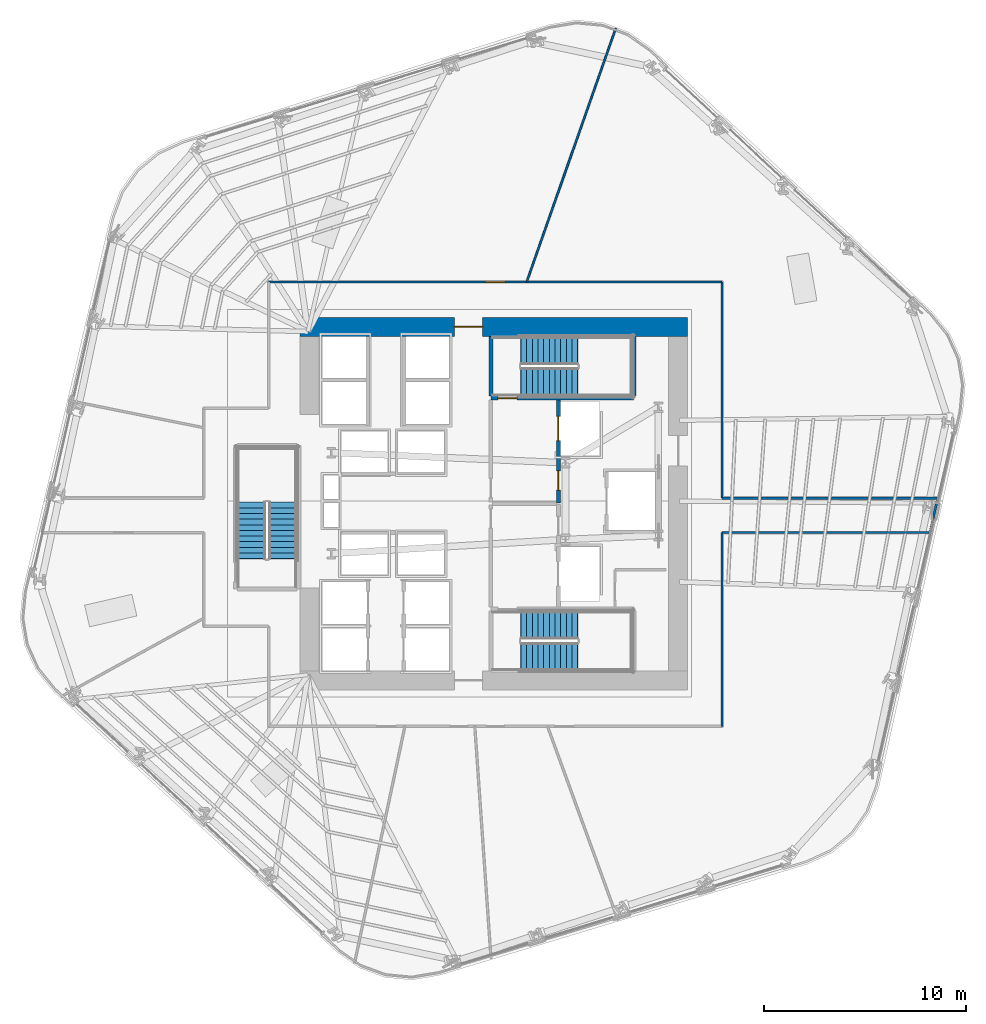
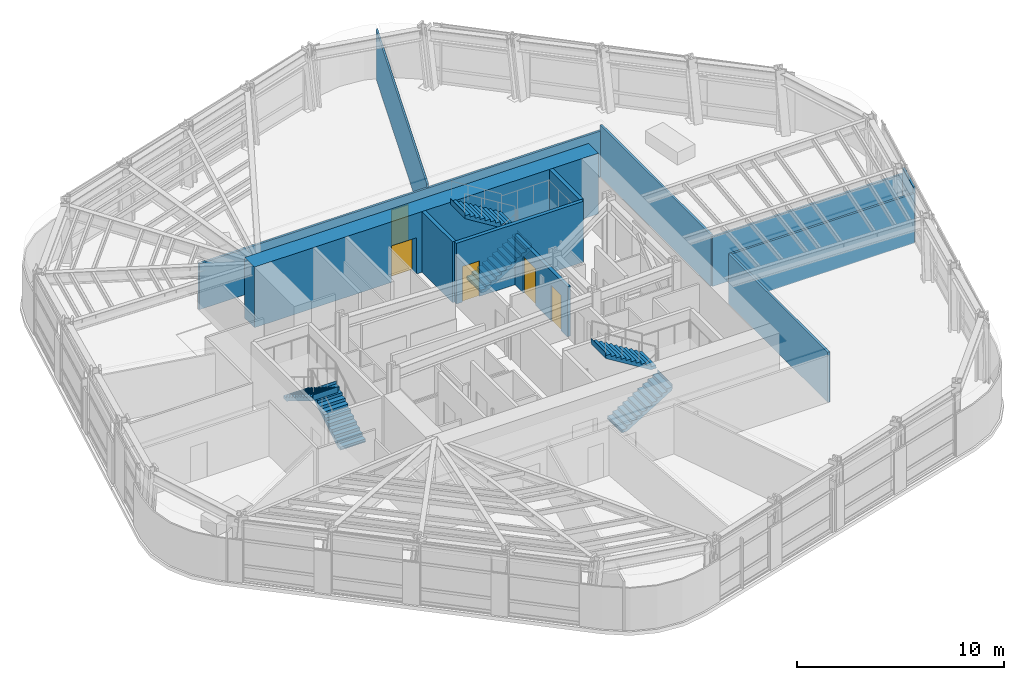
# One storey, part 10 of 16: 12 walls, 6 stair flights, 5 doors, 5 openings, 3 elements without a shape of their own.
"""IFC4 building model written with IfcOpenShell, lengths in metres."""

from ifc_helpers import new_model, si_unit, direction, frame, frame_2d, origin, place, context, subcontext, project, spatial, polyline, rectangle, outline, extrude, material, layer, layer_set, type_object, element, fill, aggregate, save


model = new_model("IFC4")

# Units and contexts
model_context = context("Model", 3, precision=1e-05, world=origin(), true_north=direction((0.0, 1.0)))
body_context = subcontext(model_context, "Body", "Model", "MODEL_VIEW")
ifc_project = project(units=[si_unit("LENGTHUNIT", "METRE"), si_unit("AREAUNIT", "SQUARE_METRE"), si_unit("VOLUMEUNIT", "CUBIC_METRE"), si_unit("PLANEANGLEUNIT", "RADIAN"), si_unit("MASSUNIT", "GRAM", prefix="KILO")], contexts=[model_context])

# Site, building, storey
site_placement = place(None, origin())
site = spatial("IfcSite", under=ifc_project, at=site_placement, CompositionType="ELEMENT")
building_placement = place(site_placement, origin())
building = spatial("IfcBuilding", under=site, at=building_placement, Name="Valkerne Bourse Tower", CompositionType="ELEMENT")
storey_placement = place(building_placement, frame((0.0, 0.0, 97.199951171875)))
storey = spatial("IfcBuildingStorey", under=building, at=storey_placement, Name="L24", CompositionType="ELEMENT", Elevation=97.199951171875)

# Wall, opening, door
ifc_material_1 = material(Name="Concrete C70/85", Category="concrete")
ifc_layer_1 = layer(ifc_material_1, 0.949951171875)
ifc_layer_set_1 = layer_set([ifc_layer_1], Name="Concrete C70/85")
wall_type_1 = type_object("IfcWallType", Name="W-CORE-950", PredefinedType="SHEAR", material=ifc_layer_set_1)
wall_1_placement = place(storey_placement, frame((37.199951171875, 35.625, 0.0), z_axis=(0.0, 0.0, 1.0), x_axis=(1.0, 0.0, 0.0)))
wall_1 = element("IfcWall", 1, at=wall_1_placement, inside=storey, type_object=wall_type_1, Name="L24 Core Shear Wall NORTH", PredefinedType="SHEAR", context=body_context, shape_type="SweptSolid", body=[
    extrude(rectangle(XDim=19.199951171875, YDim=0.949951171875, at=frame_2d((9.60009765625, 0.0))), origin(), (0.0, 0.0, 1.0), 3.580078125),
])
opening_1_placement = place(wall_1_placement, frame((7.64990234375, 0.0, 0.0)))
opening_1 = element("IfcOpeningElement", 2, at=opening_1_placement, cuts=wall_1, Name="Opening D-PL-1400", PredefinedType="OPENING", context=body_context, shape_type="SweptSolid", body=[
    extrude(rectangle(XDim=1.39990234375, YDim=2.14990234375, at=frame_2d((0.699951171875, 1.074951171875))), frame((0.0, 0.48486328125, 0.0), z_axis=(0.0, -1.0, 0.0), x_axis=(1.0, 0.0, 0.0)), (0.0, 0.0, 1.0), 0.969970703125),
])
ifc_material_2 = material(Name="Galvanised Painted Steel", Category="steel")
door_type_1 = type_object("IfcDoorType", Name="DR-PLT-1400", OperationType="DOUBLE_DOOR_SINGLE_SWING", PredefinedType="DOOR", material=ifc_material_2)
door_1_placement = place(opening_1_placement, origin())
door_1 = element("IfcDoor", 3, at=door_1_placement, inside=storey, type_object=door_type_1, Name="L24 North Passenger Lift Hall Fire Door", OperationType="DOUBLE_DOOR_SINGLE_SWING", OverallHeight=2.14990234375, OverallWidth=1.39990234375, PredefinedType="DOOR", context=body_context, shape_type="SweptSolid", body=[
    extrude(rectangle(XDim=1.39990234375, YDim=2.14990234375, at=frame_2d((0.699951171875, 1.074951171875))), frame((0.0, 0.02490234375, 0.0), z_axis=(0.0, -1.0, 0.0), x_axis=(1.0, 0.0, 0.0)), (0.0, 0.0, 1.0), 0.050048828125),
])
fill(opening_1, door_1)

# Walls
ifc_material_3 = material(Name="Gypsum Board Steel-Stud Partition", Category="steel")
ifc_layer_2 = layer(ifc_material_3, 0.117919921875)
ifc_layer_set_2 = layer_set([ifc_layer_2], Name="Gypsum Board Steel-Stud Partition")
wall_type_2 = type_object("IfcWallType", Name="W-CORR-140", PredefinedType="PARTITIONING", material=ifc_layer_set_2)
wall_2_placement = place(storey_placement, frame((58.10009765625, 27.14990234375, 0.0), z_axis=(0.0, 0.0, 1.0), x_axis=(1.0, 0.0, 0.0)))
element("IfcWall", 4, at=wall_2_placement, inside=storey, type_object=wall_type_2, Name="L24 Corridor Enclosure Wall", PredefinedType="PARTITIONING", context=body_context, shape_type="SweptSolid", body=[
    extrude(rectangle(XDim=10.637451171875, YDim=0.117919921875, at=frame_2d((5.31884765625, 0.0))), origin(), (0.0, 0.0, 1.0), 2.92236328125),
])
wall_3_placement = place(storey_placement, frame((68.772705078125, 27.106201171875, 0.0), z_axis=(0.0, 0.0, 1.0), x_axis=(-0.218087934864, -0.975929122768, 0.0)))
element("IfcWall", 5, at=wall_3_placement, inside=storey, type_object=wall_type_2, Name="L24 Corridor Enclosure Wall", PredefinedType="PARTITIONING", context=body_context, shape_type="SweptSolid", body=[
    extrude(rectangle(XDim=1.697021484375, YDim=0.117919921875, at=frame_2d((0.8486328125, 0.0))), origin(), (0.0, 0.0, 1.0), 3.280029296875),
])
wall_4_placement = place(storey_placement, frame((68.402587890625, 25.449951171875, 0.0), z_axis=(0.0, 0.0, 1.0), x_axis=(-1.0, 0.0, 0.0)))
element("IfcWall", 6, at=wall_4_placement, inside=storey, type_object=wall_type_2, Name="L24 Corridor Enclosure Wall", PredefinedType="PARTITIONING", context=body_context, shape_type="SweptSolid", body=[
    extrude(rectangle(XDim=10.302490234375, YDim=0.117919921875, at=frame_2d((5.1513671875, 0.0))), origin(), (0.0, 0.0, 1.0), 2.92236328125),
])
wall_5_placement = place(storey_placement, frame((58.10009765625, 25.449951171875, 0.0), z_axis=(0.0, 0.0, 1.0), x_axis=(0.0, -1.0, 0.0)))
element("IfcWall", 7, at=wall_5_placement, inside=storey, type_object=wall_type_2, Name="L24 Corridor Enclosure Wall", PredefinedType="PARTITIONING", context=body_context, shape_type="SweptSolid", body=[
    extrude(rectangle(XDim=9.599853515625, YDim=0.117919921875, at=frame_2d((4.7998046875, 0.0))), origin(), (0.0, 0.0, 1.0), 2.962890625),
])

# Wall, opening, door
wall_6_placement = place(storey_placement, frame((35.64990234375, 37.85009765625, 0.0), z_axis=(0.0, 0.0, 1.0), x_axis=(1.0, 0.0, 0.0)))
wall_6 = element("IfcWall", 8, at=wall_6_placement, inside=storey, type_object=wall_type_2, Name="L24 Corridor Enclosure Wall", PredefinedType="PARTITIONING", context=body_context, shape_type="SweptSolid", body=[
    extrude(rectangle(XDim=22.4501953125, YDim=0.117919921875, at=frame_2d((11.22509765625, 0.0))), origin(), (0.0, 0.0, 1.0), 2.711669921875),
])
opening_2_placement = place(wall_6_placement, frame((10.75, 0.0, 0.0)))
opening_2 = element("IfcOpeningElement", 9, at=opening_2_placement, cuts=wall_6, Name="Opening D-OF-950", PredefinedType="OPENING", context=body_context, shape_type="SweptSolid", body=[
    extrude(rectangle(XDim=0.949951171875, YDim=2.10009765625, at=frame_2d((0.47509765625, 1.050048828125))), frame((0.0, 0.06884765625, 0.0), z_axis=(0.0, -1.0, 0.0), x_axis=(1.0, 0.0, 0.0)), (0.0, 0.0, 1.0), 0.137939453125),
])
ifc_material_4 = material(Name="Architectural White Oak Timber", Category="wood")
door_type_2 = type_object("IfcDoorType", Name="DR-OFF-950", OperationType="NOTDEFINED", PredefinedType="DOOR", material=ifc_material_4)
door_2_placement = place(opening_2_placement, origin())
door_2 = element("IfcDoor", 10, at=door_2_placement, inside=storey, type_object=door_type_2, Name="L24 L24 Executive Advisory Suite Office 5 Door", OperationType="SINGLE_SWING_RIGHT", OverallHeight=2.10009765625, OverallWidth=0.949951171875, PredefinedType="DOOR", context=body_context, shape_type="SweptSolid", body=[
    extrude(rectangle(XDim=0.949951171875, YDim=2.10009765625, at=frame_2d((0.47509765625, 1.050048828125))), frame((0.0, 0.02490234375, 0.0), z_axis=(0.0, -1.0, 0.0), x_axis=(1.0, 0.0, 0.0)), (0.0, 0.0, 1.0), 0.050048828125),
])
fill(opening_2, door_2)

# Wall
wall_7_placement = place(storey_placement, frame((58.10009765625, 37.85009765625, 0.0), z_axis=(0.0, 0.0, 1.0), x_axis=(0.0, -1.0, 0.0)))
element("IfcWall", 11, at=wall_7_placement, inside=storey, type_object=wall_type_2, Name="L24 Corridor Enclosure Wall", PredefinedType="PARTITIONING", context=body_context, shape_type="SweptSolid", body=[
    extrude(rectangle(XDim=10.7001953125, YDim=0.117919921875, at=frame_2d((5.35009765625, 0.0))), origin(), (0.0, 0.0, 1.0), 3.03662109375),
])

# Wall, openings, doors
ifc_material_5 = material(Name="Gypsum Fire-Rated Shaftwall", Category="gypsum")
ifc_layer_3 = layer(ifc_material_5, 0.179931640625)
ifc_layer_set_3 = layer_set([ifc_layer_3], Name="Gypsum Fire-Rated Shaftwall")
wall_type_3 = type_object("IfcWallType", Name="W-FSAE-180", PredefinedType="PARTITIONING", material=ifc_layer_set_3)
wall_8_placement = place(storey_placement, frame((50.0, 26.919921875, 0.0), z_axis=(0.0, 0.0, 1.0), x_axis=(0.0, 1.0, 0.0)))
wall_8 = element("IfcWall", 12, at=wall_8_placement, inside=storey, type_object=wall_type_3, Name="L24 FSAE-2 Lobby & Shaft Front Wall", PredefinedType="PARTITIONING", context=body_context, shape_type="SweptSolid", body=[
    extrude(rectangle(XDim=5.080078125, YDim=0.179931640625, at=frame_2d((2.5400390625, 0.0))), origin(), (0.0, 0.0, 1.0), 2.9580078125),
])
opening_3_placement = place(wall_8_placement, frame((3.080078125, 0.0, 0.0)))
opening_3 = element("IfcOpeningElement", 13, at=opening_3_placement, cuts=wall_8, Name="Opening LD-1200", PredefinedType="OPENING", context=body_context, shape_type="SweptSolid", body=[
    extrude(rectangle(XDim=1.199951171875, YDim=2.14990234375, at=frame_2d((0.60009765625, 1.074951171875))), frame((0.0, 0.099853515625, 0.0), z_axis=(0.0, -1.0, 0.0), x_axis=(1.0, 0.0, 0.0)), (0.0, 0.0, 1.0), 0.199951171875),
])
opening_4_placement = place(wall_8_placement, frame((0.6298828125, 0.0, 0.0)))
opening_4 = element("IfcOpeningElement", 14, at=opening_4_placement, cuts=wall_8, Name="Opening D-FS-950", PredefinedType="OPENING", context=body_context, shape_type="SweptSolid", body=[
    extrude(rectangle(XDim=0.949951171875, YDim=2.10009765625, at=frame_2d((0.47509765625, 1.050048828125))), frame((0.0, 0.099853515625, 0.0), z_axis=(0.0, -1.0, 0.0), x_axis=(1.0, 0.0, 0.0)), (0.0, 0.0, 1.0), 0.199951171875),
])
door_type_3 = type_object("IfcDoorType", Name="DR-FSAE-950", OperationType="NOTDEFINED", PredefinedType="DOOR", material=ifc_material_2)
door_3_placement = place(opening_4_placement, origin())
door_3 = element("IfcDoor", 15, at=door_3_placement, inside=storey, type_object=door_type_3, Name="L24 FSAE-2 Lobby Corridor Fire Door", OperationType="SINGLE_SWING_LEFT", OverallHeight=2.10009765625, OverallWidth=0.949951171875, PredefinedType="DOOR", context=body_context, shape_type="SweptSolid", body=[
    extrude(rectangle(XDim=0.949951171875, YDim=2.10009765625, at=frame_2d((0.47509765625, 1.050048828125))), frame((0.0, 0.02490234375, 0.0), z_axis=(0.0, -1.0, 0.0), x_axis=(1.0, 0.0, 0.0)), (0.0, 0.0, 1.0), 0.050048828125),
])
fill(opening_4, door_3)
ifc_material_6 = material(Name="Stainless Steel AISI 316", Category="steel")
door_type_4 = type_object("IfcDoorType", Name="DR-LIFT-1200", OperationType="DOUBLE_DOOR_SLIDING", PredefinedType="DOOR", material=ifc_material_6)
door_4_placement = place(opening_3_placement, origin())
door_4 = element("IfcDoor", 16, at=door_4_placement, inside=storey, type_object=door_type_4, Name="L24 FSAE-2 Firefighting Lift Landing Door", OperationType="DOUBLE_DOOR_SLIDING", OverallHeight=2.14990234375, OverallWidth=1.199951171875, PredefinedType="DOOR", context=body_context, shape_type="SweptSolid", body=[
    extrude(rectangle(XDim=1.199951171875, YDim=2.14990234375, at=frame_2d((0.60009765625, 1.074951171875))), frame((0.0, 0.02490234375, 0.0), z_axis=(0.0, -1.0, 0.0), x_axis=(1.0, 0.0, 0.0)), (0.0, 0.0, 1.0), 0.050048828125),
])
fill(opening_3, door_4)

# Wall
ifc_layer_4 = layer(ifc_material_3, 0.092041015625)
ifc_layer_set_4 = layer_set([ifc_layer_4], Name="Gypsum Board Steel-Stud Partition")
wall_type_4 = type_object("IfcWallType", Name="W-PART-115", PredefinedType="PARTITIONING", material=ifc_layer_set_4)
wall_9_placement = place(storey_placement, frame((48.427001953125, 37.85498046875, 0.0), z_axis=(0.0, 0.0, 1.0), x_axis=(0.331451979088, 0.943472090503, 0.0)))
element("IfcWall", 17, at=wall_9_placement, inside=storey, type_object=wall_type_4, Name="L24 Suite Partition P04", PredefinedType="PARTITIONING", context=body_context, shape_type="SweptSolid", body=[
    extrude(rectangle(XDim=13.295166015625, YDim=0.092041015625, at=frame_2d((6.6474609375, 0.0))), origin(), (0.0, 0.0, 1.0), 2.92236328125),
])

# Wall, opening, door
ifc_material_7 = material(Name="Concrete C40/50", Category="concrete")
ifc_layer_5 = layer(ifc_material_7, 0.199951171875)
ifc_layer_set_5 = layer_set([ifc_layer_5], Name="Concrete C40/50")
wall_type_5 = type_object("IfcWallType", Name="W-SHF-200", PredefinedType="SHEAR", material=ifc_layer_set_5)
wall_10_placement = place(storey_placement, frame((46.64990234375, 32.10009765625, 0.0), z_axis=(0.0, 0.0, 1.0), x_axis=(1.0, 0.0, 0.0)))
wall_10 = element("IfcWall", 18, at=wall_10_placement, inside=storey, type_object=wall_type_5, Name="L24 Exit Stair ST-2 Structural Shaft Wall South", PredefinedType="SHEAR", context=body_context, shape_type="SweptSolid", body=[
    extrude(rectangle(XDim=7.10009765625, YDim=0.199951171875, at=frame_2d((3.550048828125, 0.0))), origin(), (0.0, 0.0, 1.0), 3.580078125),
])
opening_5_placement = place(wall_10_placement, frame((0.35009765625, 0.0, 0.0)))
opening_5 = element("IfcOpeningElement", 19, at=opening_5_placement, cuts=wall_10, Name="Opening D-ST-950", PredefinedType="OPENING", context=body_context, shape_type="SweptSolid", body=[
    extrude(rectangle(XDim=0.949951171875, YDim=2.10009765625, at=frame_2d((0.47509765625, 1.050048828125))), frame((0.0, 0.10986328125, 0.0), z_axis=(0.0, -1.0, 0.0), x_axis=(1.0, 0.0, 0.0)), (0.0, 0.0, 1.0), 0.219970703125),
])
door_type_5 = type_object("IfcDoorType", Name="DR-STAIR-950", OperationType="NOTDEFINED", PredefinedType="DOOR", material=ifc_material_2)
door_5_placement = place(opening_5_placement, origin())
door_5 = element("IfcDoor", 20, at=door_5_placement, inside=storey, type_object=door_type_5, Name="L24 Exit Stair ST-2 Door", OperationType="SINGLE_SWING_RIGHT", OverallHeight=2.10009765625, OverallWidth=0.949951171875, PredefinedType="DOOR", context=body_context, shape_type="SweptSolid", body=[
    extrude(rectangle(XDim=0.949951171875, YDim=2.10009765625, at=frame_2d((0.47509765625, 1.050048828125))), frame((0.0, 0.02490234375, 0.0), z_axis=(0.0, -1.0, 0.0), x_axis=(1.0, 0.0, 0.0)), (0.0, 0.0, 1.0), 0.050048828125),
])
fill(opening_5, door_5)

# Walls
for number, where, z_axis, x_axis, name in (
    (21, (46.64990234375, 32.199951171875, 0.0), (0.0, 0.0, 1.0), (0.0, 1.0, 0.0), "L24 Exit Stair ST-2 Structural Shaft Wall West"),
    (22, (53.75, 32.199951171875, 0.0), (0.0, 0.0, 1.0), (0.0, 1.0, 0.0), "L24 Exit Stair ST-2 Structural Shaft Wall East"),
):
    element("IfcWall", number, at=place(storey_placement, frame(where, z_axis=z_axis, x_axis=x_axis)), inside=storey, type_object=wall_type_5, Name=name, PredefinedType="SHEAR", context=body_context, shape_type="SweptSolid", body=[
        extrude(rectangle(XDim=2.949951171875, YDim=0.199951171875, at=frame_2d((1.47509765625, 0.0))), origin(), (0.0, 0.0, 1.0), 3.580078125),
    ])

# Stair, stair flights
stair_type = type_object("IfcStairType", Name="ST-CORE-1400", PredefinedType="HALF_TURN_STAIR", material=ifc_material_7)
stair_1_placement = place(storey_placement, origin())
stair_1 = element("IfcStair", 23, at=stair_1_placement, inside=storey, type_object=stair_type, Name="L24 ST-1", PredefinedType="HALF_TURN_STAIR")
stair_flight_type = type_object("IfcStairFlightType", Name="STF-CORE-1400", PredefinedType="STRAIGHT", material=ifc_material_7)
stair_flight_1_placement = place(storey_placement, frame((48.14990234375, 19.300048828125, 0.0), z_axis=(0.0, 0.0, 1.0), x_axis=(1.0, 0.0, 0.0)))
stair_flight_1 = element("IfcStairFlight", 24, at=stair_flight_1_placement, type_object=stair_flight_type, Name="ST-1 flight 1", NumberOfRisers=11, NumberOfTreads=10, PredefinedType="STRAIGHT", RiserHeight=0.172727273, TreadLength=0.28, context=body_context, shape_type="SweptSolid", body=[
    extrude(outline(polyline([(-0.02001953125, 0.0), (-0.02001953125, 0.044921875), (0.0, 0.044921875), (0.0, 0.172607421875), (0.280029296875, 0.172607421875), (0.280029296875, 0.345458984375), (0.56005859375, 0.345458984375), (0.56005859375, 0.51806640625), (0.840087890625, 0.51806640625), (0.840087890625, 0.69091796875), (1.1201171875, 0.69091796875), (1.1201171875, 0.863525390625), (1.39990234375, 0.863525390625), (1.39990234375, 1.036376953125), (1.679931640625, 1.036376953125), (1.679931640625, 1.208984375), (1.9599609375, 1.208984375), (1.9599609375, 1.3818359375), (2.239990234375, 1.3818359375), (2.239990234375, 1.554443359375), (2.52001953125, 1.554443359375), (2.52001953125, 1.727294921875), (2.800048828125, 1.727294921875), (2.800048828125, 1.89990234375), (2.820068359375, 1.89990234375), (2.820068359375, 1.780029296875), (2.800048828125, 1.551025390625), (0.285400390625, 0.0), (-0.02001953125, 0.0)])), frame((0.0, 0.699951171875, 0.0), z_axis=(0.0, -1.0, 0.0), x_axis=(1.0, 0.0, 0.0)), (0.0, 0.0, 1.0), 1.39990234375),
])
stair_flight_2_placement = place(storey_placement, frame((50.949951171875, 20.85009765625, 1.900146484375), z_axis=(0.0, 0.0, 1.0), x_axis=(-1.0, 0.0, 0.0)))
stair_flight_2 = element("IfcStairFlight", 25, at=stair_flight_2_placement, type_object=stair_flight_type, Name="ST-1 flight 2", NumberOfRisers=11, NumberOfTreads=10, PredefinedType="STRAIGHT", RiserHeight=0.172727273, TreadLength=0.28, context=body_context, shape_type="SweptSolid", body=[
    extrude(outline(polyline([(-0.02001953125, 0.0), (-0.02001953125, 0.044921875), (0.0, 0.044921875), (0.0, 0.172607421875), (0.280029296875, 0.172607421875), (0.280029296875, 0.345458984375), (0.56005859375, 0.345458984375), (0.56005859375, 0.51806640625), (0.840087890625, 0.51806640625), (0.840087890625, 0.69091796875), (1.1201171875, 0.69091796875), (1.1201171875, 0.863525390625), (1.39990234375, 0.863525390625), (1.39990234375, 1.036376953125), (1.679931640625, 1.036376953125), (1.679931640625, 1.208984375), (1.9599609375, 1.208984375), (1.9599609375, 1.3818359375), (2.239990234375, 1.3818359375), (2.239990234375, 1.554443359375), (2.52001953125, 1.554443359375), (2.52001953125, 1.727294921875), (2.800048828125, 1.727294921875), (2.800048828125, 1.89990234375), (2.820068359375, 1.89990234375), (2.820068359375, 1.780029296875), (2.800048828125, 1.551025390625), (0.285400390625, 0.0), (-0.02001953125, 0.0)])), frame((0.0, 0.699951171875, 0.0), z_axis=(0.0, -1.0, 0.0), x_axis=(1.0, 0.0, 0.0)), (0.0, 0.0, 1.0), 1.39990234375),
])
aggregate(stair_1, [stair_flight_1, stair_flight_2])

stair_2_placement = place(storey_placement, origin())
stair_2 = element("IfcStair", 26, at=stair_2_placement, inside=storey, type_object=stair_type, Name="L24 ST-2", PredefinedType="HALF_TURN_STAIR")
stair_flight_3_placement = place(storey_placement, frame((48.14990234375, 32.89990234375, 0.0), z_axis=(0.0, 0.0, 1.0), x_axis=(1.0, 0.0, 0.0)))
stair_flight_3 = element("IfcStairFlight", 27, at=stair_flight_3_placement, type_object=stair_flight_type, Name="ST-2 flight 1", NumberOfRisers=11, NumberOfTreads=10, PredefinedType="STRAIGHT", RiserHeight=0.172727273, TreadLength=0.28, context=body_context, shape_type="SweptSolid", body=[
    extrude(outline(polyline([(-0.02001953125, 0.0), (-0.02001953125, 0.044921875), (0.0, 0.044921875), (0.0, 0.172607421875), (0.280029296875, 0.172607421875), (0.280029296875, 0.345458984375), (0.56005859375, 0.345458984375), (0.56005859375, 0.51806640625), (0.840087890625, 0.51806640625), (0.840087890625, 0.69091796875), (1.1201171875, 0.69091796875), (1.1201171875, 0.863525390625), (1.39990234375, 0.863525390625), (1.39990234375, 1.036376953125), (1.679931640625, 1.036376953125), (1.679931640625, 1.208984375), (1.9599609375, 1.208984375), (1.9599609375, 1.3818359375), (2.239990234375, 1.3818359375), (2.239990234375, 1.554443359375), (2.52001953125, 1.554443359375), (2.52001953125, 1.727294921875), (2.800048828125, 1.727294921875), (2.800048828125, 1.89990234375), (2.820068359375, 1.89990234375), (2.820068359375, 1.780029296875), (2.800048828125, 1.551025390625), (0.285400390625, 0.0), (-0.02001953125, 0.0)])), frame((0.0, 0.699951171875, 0.0), z_axis=(0.0, -1.0, 0.0), x_axis=(1.0, 0.0, 0.0)), (0.0, 0.0, 1.0), 1.39990234375),
])
stair_flight_4_placement = place(storey_placement, frame((50.949951171875, 34.449951171875, 1.900146484375), z_axis=(0.0, 0.0, 1.0), x_axis=(-1.0, 0.0, 0.0)))
stair_flight_4 = element("IfcStairFlight", 28, at=stair_flight_4_placement, type_object=stair_flight_type, Name="ST-2 flight 2", NumberOfRisers=11, NumberOfTreads=10, PredefinedType="STRAIGHT", RiserHeight=0.172727273, TreadLength=0.28, context=body_context, shape_type="SweptSolid", body=[
    extrude(outline(polyline([(-0.02001953125, 0.0), (-0.02001953125, 0.044921875), (0.0, 0.044921875), (0.0, 0.172607421875), (0.280029296875, 0.172607421875), (0.280029296875, 0.345458984375), (0.56005859375, 0.345458984375), (0.56005859375, 0.51806640625), (0.840087890625, 0.51806640625), (0.840087890625, 0.69091796875), (1.1201171875, 0.69091796875), (1.1201171875, 0.863525390625), (1.39990234375, 0.863525390625), (1.39990234375, 1.036376953125), (1.679931640625, 1.036376953125), (1.679931640625, 1.208984375), (1.9599609375, 1.208984375), (1.9599609375, 1.3818359375), (2.239990234375, 1.3818359375), (2.239990234375, 1.554443359375), (2.52001953125, 1.554443359375), (2.52001953125, 1.727294921875), (2.800048828125, 1.727294921875), (2.800048828125, 1.89990234375), (2.820068359375, 1.89990234375), (2.820068359375, 1.780029296875), (2.800048828125, 1.551025390625), (0.285400390625, 0.0), (-0.02001953125, 0.0)])), frame((0.0, 0.699951171875, 0.0), z_axis=(0.0, -1.0, 0.0), x_axis=(1.0, 0.0, 0.0)), (0.0, 0.0, 1.0), 1.39990234375),
])
aggregate(stair_2, [stair_flight_3, stair_flight_4])

stair_3_placement = place(storey_placement, origin())
stair_3 = element("IfcStair", 29, at=stair_3_placement, inside=storey, type_object=stair_type, Name="L24 ST-3", PredefinedType="HALF_TURN_STAIR")
stair_flight_5_placement = place(storey_placement, frame((36.35009765625, 24.14990234375, 0.0), z_axis=(0.0, 0.0, 1.0), x_axis=(0.0, 1.0, 0.0)))
stair_flight_5 = element("IfcStairFlight", 30, at=stair_flight_5_placement, type_object=stair_flight_type, Name="ST-3 flight 1", NumberOfRisers=11, NumberOfTreads=10, PredefinedType="STRAIGHT", RiserHeight=0.172727273, TreadLength=0.28, context=body_context, shape_type="SweptSolid", body=[
    extrude(outline(polyline([(-0.02001953125, 0.0), (-0.02001953125, 0.044921875), (0.0, 0.044921875), (0.0, 0.172607421875), (0.280029296875, 0.172607421875), (0.280029296875, 0.345458984375), (0.56005859375, 0.345458984375), (0.56005859375, 0.51806640625), (0.840087890625, 0.51806640625), (0.840087890625, 0.69091796875), (1.1201171875, 0.69091796875), (1.1201171875, 0.863525390625), (1.39990234375, 0.863525390625), (1.39990234375, 1.036376953125), (1.679931640625, 1.036376953125), (1.679931640625, 1.208984375), (1.9599609375, 1.208984375), (1.9599609375, 1.3818359375), (2.239990234375, 1.3818359375), (2.239990234375, 1.554443359375), (2.52001953125, 1.554443359375), (2.52001953125, 1.727294921875), (2.800048828125, 1.727294921875), (2.800048828125, 1.89990234375), (2.820068359375, 1.89990234375), (2.820068359375, 1.780029296875), (2.800048828125, 1.551025390625), (0.285400390625, 0.0), (-0.02001953125, 0.0)])), frame((0.0, 0.699951171875, 0.0), z_axis=(0.0, -1.0, 0.0), x_axis=(1.0, 0.0, 0.0)), (0.0, 0.0, 1.0), 1.39990234375),
])
stair_flight_6_placement = place(storey_placement, frame((34.800048828125, 26.949951171875, 1.900146484375), z_axis=(0.0, 0.0, 1.0), x_axis=(0.0, -1.0, 0.0)))
stair_flight_6 = element("IfcStairFlight", 31, at=stair_flight_6_placement, type_object=stair_flight_type, Name="ST-3 flight 2", NumberOfRisers=11, NumberOfTreads=10, PredefinedType="STRAIGHT", RiserHeight=0.172727273, TreadLength=0.28, context=body_context, shape_type="SweptSolid", body=[
    extrude(outline(polyline([(-0.02001953125, 0.0), (-0.02001953125, 0.044921875), (0.0, 0.044921875), (0.0, 0.172607421875), (0.280029296875, 0.172607421875), (0.280029296875, 0.345458984375), (0.56005859375, 0.345458984375), (0.56005859375, 0.51806640625), (0.840087890625, 0.51806640625), (0.840087890625, 0.69091796875), (1.1201171875, 0.69091796875), (1.1201171875, 0.863525390625), (1.39990234375, 0.863525390625), (1.39990234375, 1.036376953125), (1.679931640625, 1.036376953125), (1.679931640625, 1.208984375), (1.9599609375, 1.208984375), (1.9599609375, 1.3818359375), (2.239990234375, 1.3818359375), (2.239990234375, 1.554443359375), (2.52001953125, 1.554443359375), (2.52001953125, 1.727294921875), (2.800048828125, 1.727294921875), (2.800048828125, 1.89990234375), (2.820068359375, 1.89990234375), (2.820068359375, 1.780029296875), (2.800048828125, 1.551025390625), (0.285400390625, 0.0), (-0.02001953125, 0.0)])), frame((0.0, 0.699951171875, 0.0), z_axis=(0.0, -1.0, 0.0), x_axis=(1.0, 0.0, 0.0)), (0.0, 0.0, 1.0), 1.39990234375),
])
aggregate(stair_3, [stair_flight_5, stair_flight_6])

save(model, "model.ifc")
